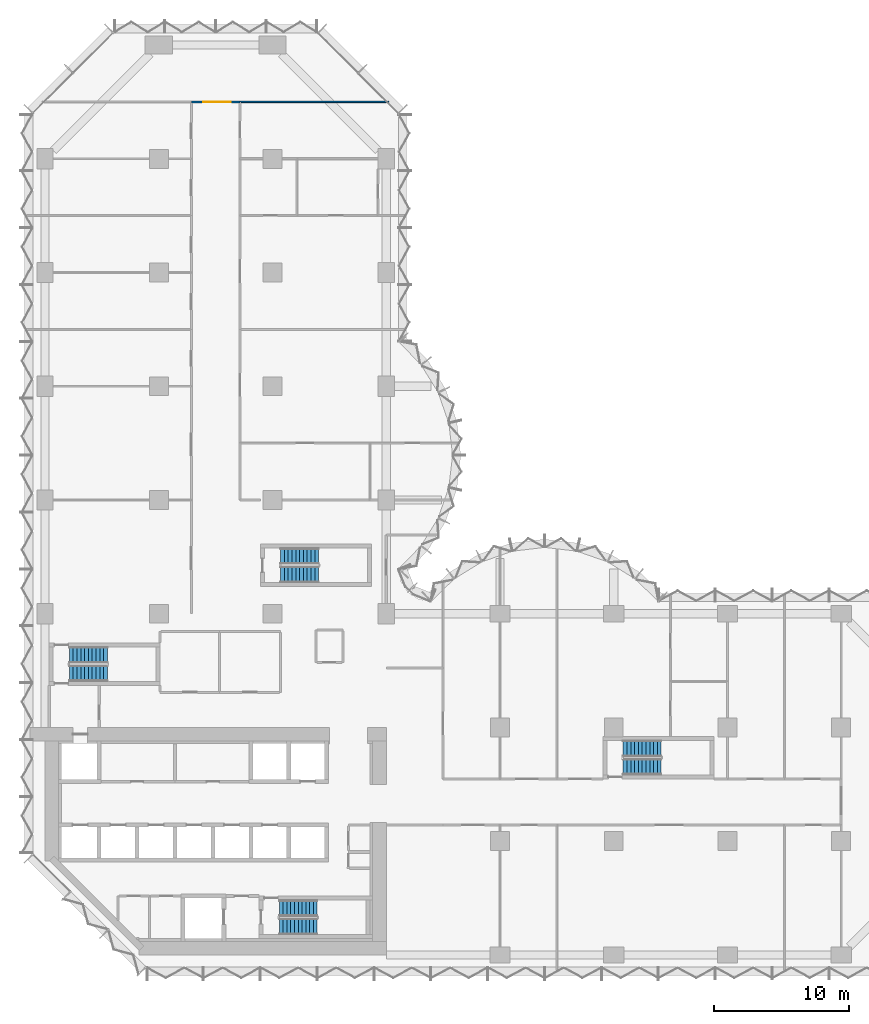
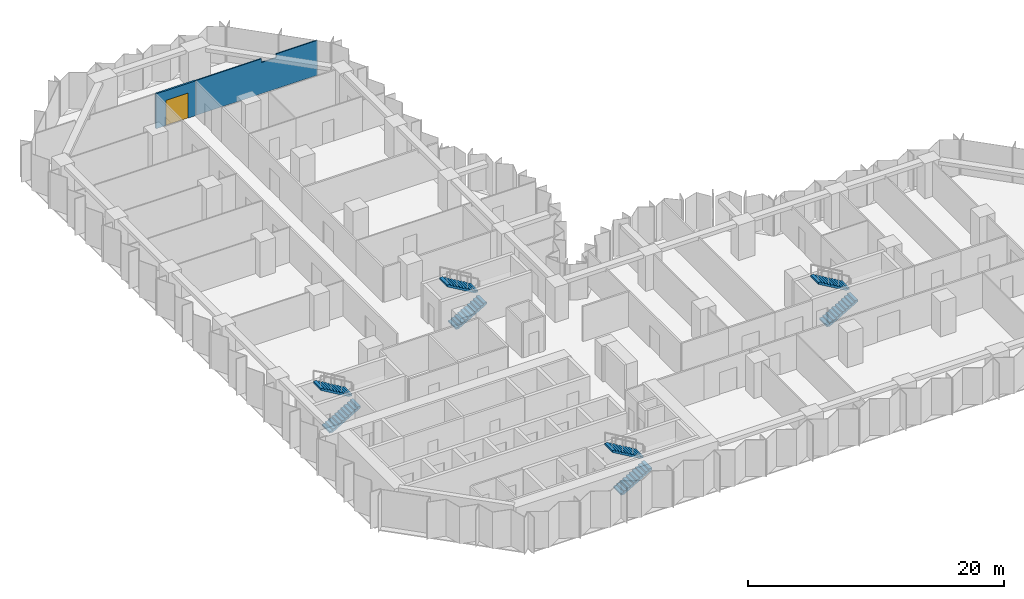
# One storey, part 12 of 15: 8 stair flights, 2 walls, 1 door, 1 opening, 4 elements without a shape of their own.
"""IFC4 building model written with IfcOpenShell, lengths in metres."""

from ifc_helpers import new_model, si_unit, direction, frame, frame_2d, origin, place, context, subcontext, project, spatial, polyline, rectangle, outline, extrude, material, layer, layer_set, type_object, element, fill, aggregate, save


model = new_model("IFC4")

# Units and contexts
model_context = context("Model", 3, precision=1e-05, world=origin(), true_north=direction((0.0, 1.0)))
body_context = subcontext(model_context, "Body", "Model", "MODEL_VIEW")
ifc_project = project(units=[si_unit("LENGTHUNIT", "METRE"), si_unit("AREAUNIT", "SQUARE_METRE"), si_unit("VOLUMEUNIT", "CUBIC_METRE"), si_unit("PLANEANGLEUNIT", "RADIAN"), si_unit("MASSUNIT", "GRAM", prefix="KILO")], contexts=[model_context])

# Site, building, storey
site_placement = place(None, origin())
site = spatial("IfcSite", under=ifc_project, at=site_placement, CompositionType="ELEMENT")
building_placement = place(site_placement, origin())
building = spatial("IfcBuilding", under=site, at=building_placement, Name="Brevane Broadcast Tower", CompositionType="ELEMENT")
storey_placement = place(building_placement, frame((0.0, 0.0, 68.89990234375)))
storey = spatial("IfcBuildingStorey", under=building, at=storey_placement, Name="L15", CompositionType="ELEMENT", Elevation=68.89990234375)

# Wall
ifc_material_1 = material(Name="Gypsum board partition")
ifc_layer_1 = layer(ifc_material_1, 0.10009765625)
ifc_layer_set_1 = layer_set([ifc_layer_1], Name="PARTITION 100 STUD")
wall_type_1 = type_object("IfcWallType", Name="PARTITION 100 STUD", PredefinedType="PARTITIONING", material=ifc_layer_set_1)
wall_1_placement = place(storey_placement, frame((25.39990234375, 63.0, 0.0), z_axis=(0.0, 0.0, 1.0), x_axis=(-1.0, 0.0, 0.0)))
element("IfcWall", 1, at=wall_1_placement, inside=storey, type_object=wall_type_1, Name="Partition G04-055", PredefinedType="PARTITIONING", context=body_context, shape_type="SweptSolid", body=[
    extrude(outline(polyline([(0.0, 0.0), (11.0, 0.0), (11.0, 3.330078125), (5.065673828125, 3.330078125), (5.063720703125, 2.97998046875), (3.736328125, 2.97998046875), (3.734375, 3.330078125), (0.0, 3.330078125), (0.0, 0.0)])), frame((0.0, 0.050048828125, 0.0), z_axis=(0.0, -1.0, 0.0), x_axis=(1.0, 0.0, 0.0)), (0.0, 0.0, 1.0), 0.10009765625),
])

# Wall, opening, door
ifc_layer_2 = layer(ifc_material_1, 0.14990234375)
ifc_layer_set_2 = layer_set([ifc_layer_2], Name="PARTITION 150 EI 60")
wall_type_2 = type_object("IfcWallType", Name="PARTITION 150 EI 60", PredefinedType="PARTITIONING", material=ifc_layer_set_2)
wall_2_placement = place(storey_placement, frame((10.800048828125, 63.0, 0.0), z_axis=(0.0, 0.0, 1.0), x_axis=(1.0, 0.0, 0.0)))
wall_2 = element("IfcWall", 2, at=wall_2_placement, inside=storey, type_object=wall_type_2, Name="Partition G04-042", PredefinedType="PARTITIONING", context=body_context, shape_type="SweptSolid", body=[
    extrude(rectangle(XDim=3.599853515625, YDim=0.14990234375, at=frame_2d((1.7998046875, 0.0))), origin(), (0.0, 0.0, 1.0), 3.330078125),
])
opening_placement = place(wall_2_placement, frame((0.89990234375, 0.0, 0.0)))
opening = element("IfcOpeningElement", 3, at=opening_placement, cuts=wall_2, Name="Opening D10-014", PredefinedType="OPENING", context=body_context, shape_type="SweptSolid", body=[
    extrude(rectangle(XDim=2.0, YDim=2.39990234375, at=frame_2d((1.0, 1.199951171875))), frame((0.0, 0.0849609375, 0.0), z_axis=(0.0, -1.0, 0.0), x_axis=(1.0, 0.0, 0.0)), (0.0, 0.0, 1.0), 0.169921875),
])
ifc_material_2 = material(Name="Fire-rated timber door leaf", Category="wood")
door_type = type_object("IfcDoorType", Name="DOOR DOUBLE 2000 FD30S", OperationType="DOUBLE_DOOR_SINGLE_SWING", PredefinedType="DOOR", material=ifc_material_2)
door_placement = place(opening_placement, origin())
door = element("IfcDoor", 4, at=door_placement, inside=storey, type_object=door_type, Name="Door D10-014", OperationType="DOUBLE_DOOR_SINGLE_SWING", OverallHeight=2.39990234375, OverallWidth=2.0, PredefinedType="DOOR", context=body_context, shape_type="SweptSolid", body=[
    extrude(rectangle(XDim=2.0, YDim=2.39990234375, at=frame_2d((1.0, 1.199951171875))), frame((0.0, 0.02490234375, 0.0), z_axis=(0.0, -1.0, 0.0), x_axis=(1.0, 0.0, 0.0)), (0.0, 0.0, 1.0), 0.050048828125),
])
fill(opening, door)

# Stair, stair flights
ifc_material_3 = material(Name="Concrete C50/60", Category="concrete")
stair_type = type_object("IfcStairType", Name="Exit stair 22 risers", PredefinedType="HALF_TURN_STAIR", material=ifc_material_3)
stair_1_placement = place(storey_placement, origin())
stair_1 = element("IfcStair", 5, at=stair_1_placement, inside=storey, type_object=stair_type, Name="L15 Exit stair ST-1", PredefinedType="HALF_TURN_STAIR")
stair_flight_type = type_object("IfcStairFlightType", Name="Exit stair flight 22 risers", PredefinedType="STRAIGHT", material=ifc_material_3)
stair_flight_1_placement = place(storey_placement, frame((1.800048828125, 20.800048828125, 0.0), z_axis=(0.0, 0.0, 1.0), x_axis=(1.0, 0.0, 0.0)))
stair_flight_1 = element("IfcStairFlight", 6, at=stair_flight_1_placement, type_object=stair_flight_type, Name="ST-1 flight 1", NumberOfRisers=11, NumberOfTreads=10, PredefinedType="STRAIGHT", RiserHeight=0.163636364, TreadLength=0.28, context=body_context, shape_type="SweptSolid", body=[
    extrude(outline(polyline([(0.0, 0.0), (0.0, 0.16357421875), (0.280029296875, 0.16357421875), (0.280029296875, 0.327392578125), (0.56005859375, 0.327392578125), (0.56005859375, 0.490966796875), (0.840087890625, 0.490966796875), (0.840087890625, 0.654541015625), (1.1201171875, 0.654541015625), (1.1201171875, 0.818115234375), (1.39990234375, 0.818115234375), (1.39990234375, 0.98193359375), (1.679931640625, 0.98193359375), (1.679931640625, 1.1455078125), (1.9599609375, 1.1455078125), (1.9599609375, 1.30908203125), (2.239990234375, 1.30908203125), (2.239990234375, 1.47265625), (2.52001953125, 1.47265625), (2.52001953125, 1.636474609375), (2.800048828125, 1.636474609375), (2.800048828125, 1.800048828125), (2.800048828125, 1.462646484375), (0.297119140625, 0.0), (0.0, 0.0)])), frame((0.0, 0.60009765625, 0.0), z_axis=(0.0, -1.0, 0.0), x_axis=(1.0, 0.0, 0.0)), (0.0, 0.0, 1.0), 1.199951171875),
])
stair_flight_2_placement = place(storey_placement, frame((4.60009765625, 22.14990234375, 1.800048828125), z_axis=(0.0, 0.0, 1.0), x_axis=(-1.0, 0.0, 0.0)))
stair_flight_2 = element("IfcStairFlight", 7, at=stair_flight_2_placement, type_object=stair_flight_type, Name="ST-1 flight 2", NumberOfRisers=11, NumberOfTreads=10, PredefinedType="STRAIGHT", RiserHeight=0.163636364, TreadLength=0.28, context=body_context, shape_type="SweptSolid", body=[
    extrude(outline(polyline([(0.0, 0.0), (0.0, 0.16357421875), (0.280029296875, 0.16357421875), (0.280029296875, 0.327392578125), (0.56005859375, 0.327392578125), (0.56005859375, 0.490966796875), (0.840087890625, 0.490966796875), (0.840087890625, 0.654541015625), (1.1201171875, 0.654541015625), (1.1201171875, 0.818115234375), (1.39990234375, 0.818115234375), (1.39990234375, 0.98193359375), (1.679931640625, 0.98193359375), (1.679931640625, 1.1455078125), (1.9599609375, 1.1455078125), (1.9599609375, 1.30908203125), (2.239990234375, 1.30908203125), (2.239990234375, 1.47265625), (2.52001953125, 1.47265625), (2.52001953125, 1.636474609375), (2.800048828125, 1.636474609375), (2.800048828125, 1.800048828125), (2.800048828125, 1.462646484375), (0.297119140625, 0.0), (0.0, 0.0)])), frame((0.0, 0.60009765625, 0.0), z_axis=(0.0, -1.0, 0.0), x_axis=(1.0, 0.0, 0.0)), (0.0, 0.0, 1.0), 1.199951171875),
])
aggregate(stair_1, [stair_flight_1, stair_flight_2])

stair_2_placement = place(storey_placement, origin())
stair_2 = element("IfcStair", 8, at=stair_2_placement, inside=storey, type_object=stair_type, Name="L15 Exit stair ST-2", PredefinedType="HALF_TURN_STAIR")
stair_flight_3_placement = place(storey_placement, frame((17.300048828125, 2.10009765625, 0.0), z_axis=(0.0, 0.0, 1.0), x_axis=(1.0, 0.0, 0.0)))
stair_flight_3 = element("IfcStairFlight", 9, at=stair_flight_3_placement, type_object=stair_flight_type, Name="ST-2 flight 1", NumberOfRisers=11, NumberOfTreads=10, PredefinedType="STRAIGHT", RiserHeight=0.163636364, TreadLength=0.28, context=body_context, shape_type="SweptSolid", body=[
    extrude(outline(polyline([(0.0, 0.0), (0.0, 0.16357421875), (0.280029296875, 0.16357421875), (0.280029296875, 0.327392578125), (0.56005859375, 0.327392578125), (0.56005859375, 0.490966796875), (0.840087890625, 0.490966796875), (0.840087890625, 0.654541015625), (1.1201171875, 0.654541015625), (1.1201171875, 0.818115234375), (1.39990234375, 0.818115234375), (1.39990234375, 0.98193359375), (1.679931640625, 0.98193359375), (1.679931640625, 1.1455078125), (1.9599609375, 1.1455078125), (1.9599609375, 1.30908203125), (2.239990234375, 1.30908203125), (2.239990234375, 1.47265625), (2.52001953125, 1.47265625), (2.52001953125, 1.636474609375), (2.800048828125, 1.636474609375), (2.800048828125, 1.800048828125), (2.800048828125, 1.462646484375), (0.297119140625, 0.0), (0.0, 0.0)])), frame((0.0, 0.60009765625, 0.0), z_axis=(0.0, -1.0, 0.0), x_axis=(1.0, 0.0, 0.0)), (0.0, 0.0, 1.0), 1.199951171875),
])
stair_flight_4_placement = place(storey_placement, frame((20.10009765625, 3.449951171875, 1.800048828125), z_axis=(0.0, 0.0, 1.0), x_axis=(-1.0, 0.0, 0.0)))
stair_flight_4 = element("IfcStairFlight", 10, at=stair_flight_4_placement, type_object=stair_flight_type, Name="ST-2 flight 2", NumberOfRisers=11, NumberOfTreads=10, PredefinedType="STRAIGHT", RiserHeight=0.163636364, TreadLength=0.28, context=body_context, shape_type="SweptSolid", body=[
    extrude(outline(polyline([(0.0, 0.0), (0.0, 0.16357421875), (0.280029296875, 0.16357421875), (0.280029296875, 0.327392578125), (0.56005859375, 0.327392578125), (0.56005859375, 0.490966796875), (0.840087890625, 0.490966796875), (0.840087890625, 0.654541015625), (1.1201171875, 0.654541015625), (1.1201171875, 0.818115234375), (1.39990234375, 0.818115234375), (1.39990234375, 0.98193359375), (1.679931640625, 0.98193359375), (1.679931640625, 1.1455078125), (1.9599609375, 1.1455078125), (1.9599609375, 1.30908203125), (2.239990234375, 1.30908203125), (2.239990234375, 1.47265625), (2.52001953125, 1.47265625), (2.52001953125, 1.636474609375), (2.800048828125, 1.636474609375), (2.800048828125, 1.800048828125), (2.800048828125, 1.462646484375), (0.297119140625, 0.0), (0.0, 0.0)])), frame((0.0, 0.60009765625, 0.0), z_axis=(0.0, -1.0, 0.0), x_axis=(1.0, 0.0, 0.0)), (0.0, 0.0, 1.0), 1.199951171875),
])
aggregate(stair_2, [stair_flight_3, stair_flight_4])

stair_3_placement = place(storey_placement, origin())
stair_3 = element("IfcStair", 11, at=stair_3_placement, inside=storey, type_object=stair_type, Name="L15 Exit stair ST-3", PredefinedType="HALF_TURN_STAIR")
stair_flight_5_placement = place(storey_placement, frame((17.39990234375, 28.10009765625, 0.0), z_axis=(0.0, 0.0, 1.0), x_axis=(1.0, 0.0, 0.0)))
stair_flight_5 = element("IfcStairFlight", 12, at=stair_flight_5_placement, type_object=stair_flight_type, Name="ST-3 flight 1", NumberOfRisers=11, NumberOfTreads=10, PredefinedType="STRAIGHT", RiserHeight=0.163636364, TreadLength=0.28, context=body_context, shape_type="SweptSolid", body=[
    extrude(outline(polyline([(0.0, 0.0), (0.0, 0.16357421875), (0.280029296875, 0.16357421875), (0.280029296875, 0.327392578125), (0.56005859375, 0.327392578125), (0.56005859375, 0.490966796875), (0.840087890625, 0.490966796875), (0.840087890625, 0.654541015625), (1.1201171875, 0.654541015625), (1.1201171875, 0.818115234375), (1.39990234375, 0.818115234375), (1.39990234375, 0.98193359375), (1.679931640625, 0.98193359375), (1.679931640625, 1.1455078125), (1.9599609375, 1.1455078125), (1.9599609375, 1.30908203125), (2.239990234375, 1.30908203125), (2.239990234375, 1.47265625), (2.52001953125, 1.47265625), (2.52001953125, 1.636474609375), (2.800048828125, 1.636474609375), (2.800048828125, 1.800048828125), (2.800048828125, 1.462646484375), (0.297119140625, 0.0), (0.0, 0.0)])), frame((0.0, 0.60009765625, 0.0), z_axis=(0.0, -1.0, 0.0), x_axis=(1.0, 0.0, 0.0)), (0.0, 0.0, 1.0), 1.199951171875),
])
stair_flight_6_placement = place(storey_placement, frame((20.199951171875, 29.449951171875, 1.800048828125), z_axis=(0.0, 0.0, 1.0), x_axis=(-1.0, 0.0, 0.0)))
stair_flight_6 = element("IfcStairFlight", 13, at=stair_flight_6_placement, type_object=stair_flight_type, Name="ST-3 flight 2", NumberOfRisers=11, NumberOfTreads=10, PredefinedType="STRAIGHT", RiserHeight=0.163636364, TreadLength=0.28, context=body_context, shape_type="SweptSolid", body=[
    extrude(outline(polyline([(0.0, 0.0), (0.0, 0.16357421875), (0.280029296875, 0.16357421875), (0.280029296875, 0.327392578125), (0.56005859375, 0.327392578125), (0.56005859375, 0.490966796875), (0.840087890625, 0.490966796875), (0.840087890625, 0.654541015625), (1.1201171875, 0.654541015625), (1.1201171875, 0.818115234375), (1.39990234375, 0.818115234375), (1.39990234375, 0.98193359375), (1.679931640625, 0.98193359375), (1.679931640625, 1.1455078125), (1.9599609375, 1.1455078125), (1.9599609375, 1.30908203125), (2.239990234375, 1.30908203125), (2.239990234375, 1.47265625), (2.52001953125, 1.47265625), (2.52001953125, 1.636474609375), (2.800048828125, 1.636474609375), (2.800048828125, 1.800048828125), (2.800048828125, 1.462646484375), (0.297119140625, 0.0), (0.0, 0.0)])), frame((0.0, 0.60009765625, 0.0), z_axis=(0.0, -1.0, 0.0), x_axis=(1.0, 0.0, 0.0)), (0.0, 0.0, 1.0), 1.199951171875),
])
aggregate(stair_3, [stair_flight_5, stair_flight_6])

stair_4_placement = place(storey_placement, origin())
stair_4 = element("IfcStair", 14, at=stair_4_placement, inside=storey, type_object=stair_type, Name="L15 Exit stair ST-4", PredefinedType="HALF_TURN_STAIR")
stair_flight_7_placement = place(storey_placement, frame((42.699951171875, 13.89990234375, 0.0), z_axis=(0.0, 0.0, 1.0), x_axis=(1.0, 0.0, 0.0)))
stair_flight_7 = element("IfcStairFlight", 15, at=stair_flight_7_placement, type_object=stair_flight_type, Name="ST-4 flight 1", NumberOfRisers=11, NumberOfTreads=10, PredefinedType="STRAIGHT", RiserHeight=0.163636364, TreadLength=0.28, context=body_context, shape_type="SweptSolid", body=[
    extrude(outline(polyline([(0.0, 0.0), (0.0, 0.16357421875), (0.280029296875, 0.16357421875), (0.280029296875, 0.327392578125), (0.56005859375, 0.327392578125), (0.56005859375, 0.490966796875), (0.840087890625, 0.490966796875), (0.840087890625, 0.654541015625), (1.1201171875, 0.654541015625), (1.1201171875, 0.818115234375), (1.39990234375, 0.818115234375), (1.39990234375, 0.98193359375), (1.679931640625, 0.98193359375), (1.679931640625, 1.1455078125), (1.9599609375, 1.1455078125), (1.9599609375, 1.30908203125), (2.239990234375, 1.30908203125), (2.239990234375, 1.47265625), (2.52001953125, 1.47265625), (2.52001953125, 1.636474609375), (2.800048828125, 1.636474609375), (2.800048828125, 1.800048828125), (2.800048828125, 1.462646484375), (0.297119140625, 0.0), (0.0, 0.0)])), frame((0.0, 0.60009765625, 0.0), z_axis=(0.0, -1.0, 0.0), x_axis=(1.0, 0.0, 0.0)), (0.0, 0.0, 1.0), 1.199951171875),
])
stair_flight_8_placement = place(storey_placement, frame((45.5, 15.25, 1.800048828125), z_axis=(0.0, 0.0, 1.0), x_axis=(-1.0, 0.0, 0.0)))
stair_flight_8 = element("IfcStairFlight", 16, at=stair_flight_8_placement, type_object=stair_flight_type, Name="ST-4 flight 2", NumberOfRisers=11, NumberOfTreads=10, PredefinedType="STRAIGHT", RiserHeight=0.163636364, TreadLength=0.28, context=body_context, shape_type="SweptSolid", body=[
    extrude(outline(polyline([(0.0, 0.0), (0.0, 0.16357421875), (0.280029296875, 0.16357421875), (0.280029296875, 0.327392578125), (0.56005859375, 0.327392578125), (0.56005859375, 0.490966796875), (0.840087890625, 0.490966796875), (0.840087890625, 0.654541015625), (1.1201171875, 0.654541015625), (1.1201171875, 0.818115234375), (1.39990234375, 0.818115234375), (1.39990234375, 0.98193359375), (1.679931640625, 0.98193359375), (1.679931640625, 1.1455078125), (1.9599609375, 1.1455078125), (1.9599609375, 1.30908203125), (2.239990234375, 1.30908203125), (2.239990234375, 1.47265625), (2.52001953125, 1.47265625), (2.52001953125, 1.636474609375), (2.800048828125, 1.636474609375), (2.800048828125, 1.800048828125), (2.800048828125, 1.462646484375), (0.297119140625, 0.0), (0.0, 0.0)])), frame((0.0, 0.60009765625, 0.0), z_axis=(0.0, -1.0, 0.0), x_axis=(1.0, 0.0, 0.0)), (0.0, 0.0, 1.0), 1.199951171875),
])
aggregate(stair_4, [stair_flight_7, stair_flight_8])

save(model, "model.ifc")
